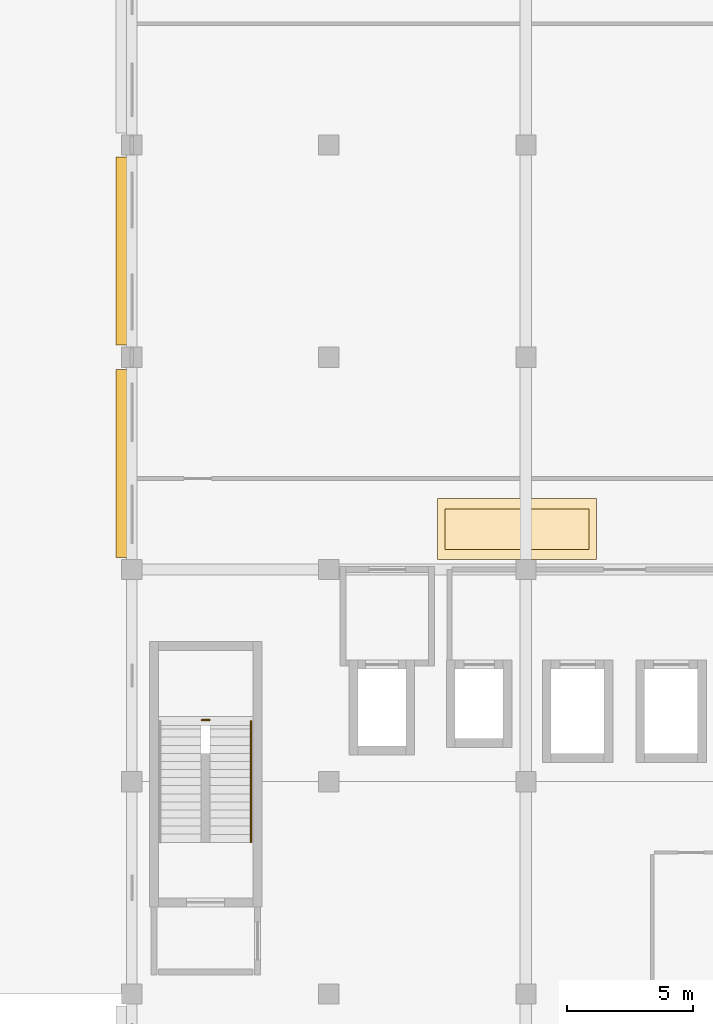
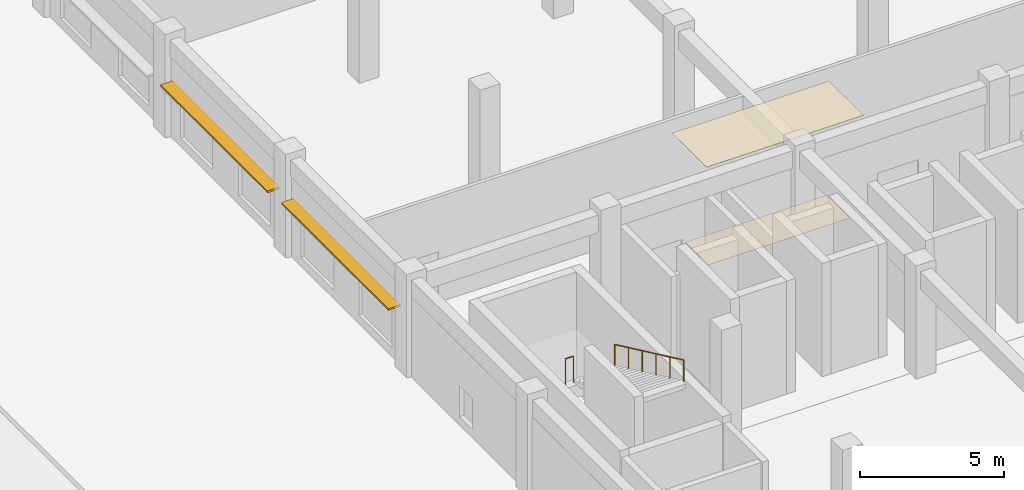
# One storey, part 54 of 62: 2 coverings, 2 railings, 2 shading devices.
"""IFC4 building model written with IfcOpenShell, lengths in metres."""

from ifc_helpers import new_model, si_unit, direction, frame, origin, origin_2d, place, context, subcontext, project, spatial, polyline, rectangle, circle, outline, extrude, material, layer, layer_set, type_object, element, save


model = new_model("IFC4")

# Units and contexts
model_context = context("Model", 3, precision=1e-05, world=origin(), true_north=direction((0.0, 1.0)))
body_context = subcontext(model_context, "Body", "Model", "MODEL_VIEW")
ifc_project = project(units=[si_unit("LENGTHUNIT", "METRE"), si_unit("AREAUNIT", "SQUARE_METRE"), si_unit("VOLUMEUNIT", "CUBIC_METRE"), si_unit("PLANEANGLEUNIT", "RADIAN"), si_unit("MASSUNIT", "GRAM", prefix="KILO"), si_unit("THERMODYNAMICTEMPERATUREUNIT", "KELVIN"), si_unit("POWERUNIT", "WATT")], contexts=[model_context])

# Site, building, storey
site_placement = place(None, origin())
site = spatial("IfcSite", under=ifc_project, at=site_placement, CompositionType="ELEMENT")
building_placement = place(site_placement, origin())
building = spatial("IfcBuilding", under=site, at=building_placement, Name="Srebrne Nadtorze General Hospital", CompositionType="ELEMENT")
storey_placement = place(building_placement, frame((0.0, 0.0, 9.60009765625)))
storey = spatial("IfcBuildingStorey", under=building, at=storey_placement, Name="L02", CompositionType="ELEMENT", Elevation=9.60009765625)

# Covering
ifc_material_1 = material(Name="Medical Vinyl Flooring")
ifc_layer_1 = layer(ifc_material_1, 0.006103515625)
ifc_layer_set_1 = layer_set([ifc_layer_1], Name="Medical Vinyl Flooring")
covering_type_1 = type_object("IfcCoveringType", Name="Antistatic medical vinyl flooring", PredefinedType="FLOORING", material=ifc_layer_set_1)
covering_1_placement = place(storey_placement, origin())
element("IfcCovering", 1, at=covering_1_placement, inside=storey, type_object=covering_type_1, Name="Medical vinyl flooring L02", PredefinedType="FLOORING", context=body_context, shape_type="SweptSolid", body=[
    extrude(outline(polyline([(35.800048828125, 51.199951171875), (41.5, 51.199951171875), (41.5, 52.800048828125), (35.800048828125, 52.800048828125), (35.800048828125, 51.199951171875)])), origin(), (0.0, 0.0, 1.0), 0.005859375),
])

# Shading devices
ifc_material_2 = material(Name="Anodised Aluminium", Category="aluminium")
ifc_layer_2 = layer(ifc_material_2, 0.080078125)
ifc_layer_set_2 = layer_set([ifc_layer_2], Name="Anodised Aluminium")
shading_device_type = type_object("IfcShadingDeviceType", Name="Hisashi horizontal aluminium sunshade", PredefinedType="JALOUSIE", material=ifc_layer_set_2)
for number, where, z_axis, x_axis, name in (
    (2, (23.02001953125, 54.60009765625, 2.81982421875), (0.0, 0.0, 1.0), (1.0, 0.0, 0.0), "Hisashi horizontal sunshade eave LV-153"),
    (3, (23.02001953125, 63.0, 2.719970703125), (0.0, 0.0, 1.0), (1.0, 0.0, 0.0), "Hisashi horizontal sunshade eave LV-154"),
):
    element("IfcShadingDevice", number, at=place(storey_placement, frame(where, z_axis=z_axis, x_axis=x_axis)), inside=storey, type_object=shading_device_type, Name=name, PredefinedType="JALOUSIE", context=body_context, shape_type="SweptSolid", body=[
        extrude(rectangle(XDim=0.47998046875, YDim=7.43994140625, at=origin_2d()), origin(), (0.0, 0.0, 1.0), 0.080078125),
    ])

# Covering
ifc_material_3 = material(Name="Acoustic Mineral Ceiling")
ifc_layer_3 = layer(ifc_material_3, 0.014892578125)
ifc_layer_set_3 = layer_set([ifc_layer_3], Name="Acoustic Mineral Ceiling")
covering_type_2 = type_object("IfcCoveringType", Name="Hygienic acoustic ceiling tile", PredefinedType="CEILING", material=ifc_layer_set_3)
covering_2_placement = place(storey_placement, frame((0.0, 0.0, 4.48486328125)))
element("IfcCovering", 4, at=covering_2_placement, inside=storey, type_object=covering_type_2, Name="Acoustic ceiling L02", PredefinedType="CEILING", context=body_context, shape_type="SweptSolid", body=[
    extrude(outline(polyline([(35.5, 50.800048828125), (41.800048828125, 50.800048828125), (41.800048828125, 53.199951171875), (35.5, 53.199951171875), (35.5, 50.800048828125)])), origin(), (0.0, 0.0, 1.0), 0.01513671875),
])

# Railings
ifc_material_4 = material(Name="Stainless Steel 316", Category="steel")
railing_type_1 = type_object("IfcRailingType", Name="Stairwell safety guard 1120", PredefinedType="BALUSTRADE", material=ifc_material_4)
railing_1_placement = place(storey_placement, frame((26.1650390625, 44.43994140625, 2.39990234375)))
element("IfcRailing", 5, at=railing_1_placement, inside=storey, type_object=railing_type_1, Name="Half landing well guard ST-01-L02", PredefinedType="BALUSTRADE", context=body_context, shape_type="SweptSolid", body=[
    extrude(circle(Radius=0.02392578125, at=origin_2d()), frame((0.0, 0.0, 1.09619140625), z_axis=(1.0, 0.0, 0.0), x_axis=(0.0, 1.0, 0.0)), (0.0, 0.0, 1.0), 0.320068359375),
    extrude(circle(Radius=0.02099609375, at=origin_2d()), origin(), (0.0, 0.0, 1.0), 1.072021484375),
    extrude(circle(Radius=0.02099609375, at=origin_2d()), frame((0.320068359375, 0.0, 0.0)), (0.0, 0.0, 1.0), 1.072021484375),
])
ifc_material_5 = material(Name="Stainless Steel 316", Category="steel")
railing_type_2 = type_object("IfcRailingType", Name="Tubular stainless handrail 920", PredefinedType="HANDRAIL", material=ifc_material_5)
railing_2_placement = place(storey_placement, frame((28.1201171875, 44.39990234375, 2.5498046875)))
element("IfcRailing", 6, at=railing_2_placement, inside=storey, type_object=railing_type_2, Name="Stair flight handrail ST-01-L02 F2", PredefinedType="HANDRAIL", context=body_context, shape_type="SweptSolid", body=[
    extrude(circle(Radius=0.02392578125, at=origin_2d()), frame((0.0, 0.0, 0.89599609375), z_axis=(0.0, -0.905452298538, 0.424448035774), x_axis=(1.0, 0.0, 0.0)), (0.0, 0.0, 1.0), 5.301025390625),
    extrude(circle(Radius=0.02099609375, at=origin_2d()), origin(), (0.0, 0.0, 1.0), 0.871826171875),
    extrude(circle(Radius=0.02099609375, at=origin_2d()), frame((0.0, -0.9599609375, 0.449951171875)), (0.0, 0.0, 1.0), 0.871826171875),
    extrude(circle(Radius=0.02099609375, at=origin_2d()), frame((0.0, -1.919921875, 0.89990234375)), (0.0, 0.0, 1.0), 0.871826171875),
    extrude(circle(Radius=0.02099609375, at=origin_2d()), frame((0.0, -2.8798828125, 1.35009765625)), (0.0, 0.0, 1.0), 0.871826171875),
    extrude(circle(Radius=0.02099609375, at=origin_2d()), frame((0.0, -3.83984375, 1.800048828125)), (0.0, 0.0, 1.0), 0.871826171875),
    extrude(circle(Radius=0.02099609375, at=origin_2d()), frame((0.0, -4.7998046875, 2.25)), (0.0, 0.0, 1.0), 0.871826171875),
])

save(model, "model.ifc")
